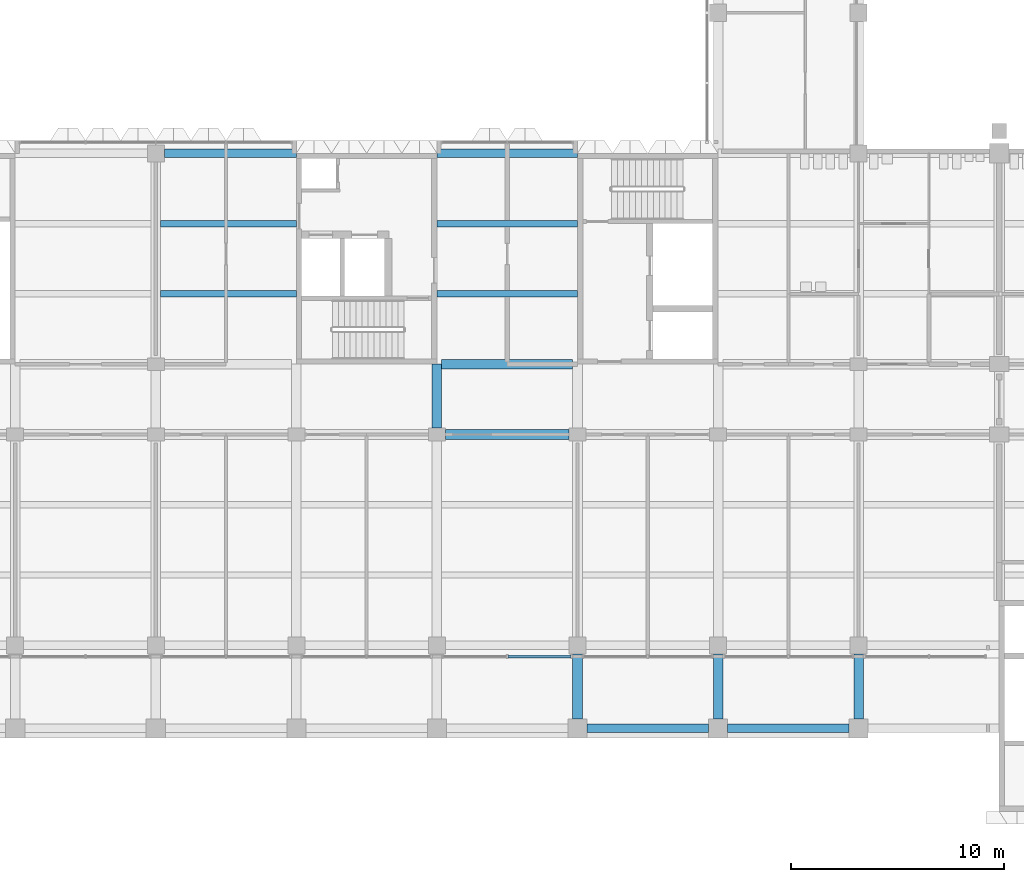
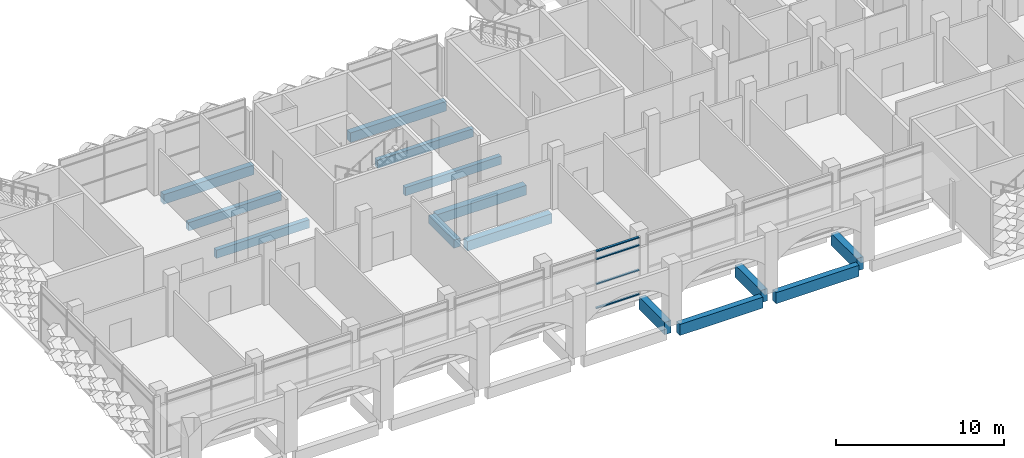
# One storey, part 5 of 87: 14 beams, 4 members, 1 element without a shape of its own.
"""IFC4 building model written with IfcOpenShell, lengths in metres."""

from ifc_helpers import new_model, si_unit, direction, frame, origin, origin_2d, place, context, subcontext, project, spatial, rectangle, extrude, material, material_profile, profile_set, type_object, element, aggregate, save


model = new_model("IFC4")

# Units and contexts
model_context = context("Model", 3, precision=1e-05, world=origin(), true_north=direction((0.0, 1.0)))
body_context = subcontext(model_context, "Body", "Model", "MODEL_VIEW")
ifc_project = project(units=[si_unit("LENGTHUNIT", "METRE"), si_unit("AREAUNIT", "SQUARE_METRE"), si_unit("VOLUMEUNIT", "CUBIC_METRE"), si_unit("PLANEANGLEUNIT", "RADIAN"), si_unit("MASSUNIT", "GRAM", prefix="KILO")], contexts=[model_context])

# Site, building, storey
site_placement = place(None, origin())
site = spatial("IfcSite", under=ifc_project, at=site_placement, CompositionType="ELEMENT")
building_placement = place(site_placement, origin())
building = spatial("IfcBuilding", under=site, at=building_placement, Name="Lantern Court Research Institute", CompositionType="ELEMENT")
storey_placement = place(building_placement, frame((0.0, 0.0, 5.39990234375)))
storey = spatial("IfcBuildingStorey", under=building, at=storey_placement, Name="L01", CompositionType="ELEMENT", Elevation=5.39990234375)

# Beams
ifc_material_1 = material(Name="Concrete C40/50", Category="concrete")
ifc_material_profile_1 = material_profile(ifc_material_1, rectangle(XDim=0.449951171875, YDim=0.699951171875, at=origin_2d()), Name="RC beam 450 x 700")
ifc_profile_set_1 = profile_set([ifc_material_profile_1], Name="Concrete C40/50")
beam_type_1 = type_object("IfcBeamType", Name="RC beam 450 x 700", PredefinedType="BEAM", material=ifc_profile_set_1)
beam_1_placement = place(storey_placement, frame((26.800048828125, 9.89990234375, -0.64990234375), z_axis=(1.0, 0.0, 0.0), x_axis=(0.0, 1.0, 0.0)))
element("IfcBeam", 1, at=beam_1_placement, inside=storey, type_object=beam_type_1, Name="Beam L01 grid B/5-6", PredefinedType="BEAM", context=body_context, shape_type="SweptSolid", body=[
    extrude(rectangle(XDim=0.449951171875, YDim=0.699951171875, at=origin_2d()), origin(), (0.0, 0.0, 1.0), 5.800048828125),
])
beam_2_placement = place(storey_placement, frame((26.625, 13.199951171875, -0.64990234375), z_axis=(1.0, 0.0, 0.0), x_axis=(0.0, 1.0, 0.0)))
element("IfcBeam", 2, at=beam_2_placement, inside=storey, type_object=beam_type_1, Name="Beam L01 grid C/5-6", PredefinedType="BEAM", context=body_context, shape_type="SweptSolid", body=[
    extrude(rectangle(XDim=0.449951171875, YDim=0.699951171875, at=origin_2d()), origin(), (0.0, 0.0, 1.0), 6.14990234375),
])
ifc_material_2 = material(Name="Concrete C40/50", Category="concrete")
ifc_material_profile_2 = material_profile(ifc_material_2, rectangle(XDim=0.39990234375, YDim=0.699951171875, at=origin_2d()), Name="RC beam 400 x 700")
ifc_profile_set_2 = profile_set([ifc_material_profile_2], Name="Concrete C40/50")
beam_type_2 = type_object("IfcBeamType", Name="RC edge beam 400 x 700", PredefinedType="BEAM", material=ifc_profile_set_2)
beam_3_placement = place(storey_placement, frame((13.60009765625, 23.10009765625, -0.64990234375), z_axis=(1.0, 0.0, 0.0), x_axis=(0.0, 1.0, 0.0)))
element("IfcBeam", 3, at=beam_3_placement, inside=storey, type_object=beam_type_2, Name="Edge beam L01 grid D/3-4", PredefinedType="BEAM", context=body_context, shape_type="SweptSolid", body=[
    extrude(rectangle(XDim=0.39990234375, YDim=0.699951171875, at=origin_2d()), origin(), (0.0, 0.0, 1.0), 6.199951171875),
])
beam_4_placement = place(storey_placement, frame((26.39990234375, 23.10009765625, -0.64990234375), z_axis=(1.0, 0.0, 0.0), x_axis=(0.0, 1.0, 0.0)))
element("IfcBeam", 4, at=beam_4_placement, inside=storey, type_object=beam_type_2, Name="Edge beam L01 grid D/5-6", PredefinedType="BEAM", context=body_context, shape_type="SweptSolid", body=[
    extrude(rectangle(XDim=0.39990234375, YDim=0.699951171875, at=origin_2d()), origin(), (0.0, 0.0, 1.0), 6.60009765625),
])
ifc_material_3 = material(Name="Concrete C40/50", Category="concrete")
ifc_material_profile_3 = material_profile(ifc_material_3, rectangle(XDim=0.449951171875, YDim=0.89990234375, at=origin_2d()), Name="RC beam 450 x 900")
ifc_profile_set_3 = profile_set([ifc_material_profile_3], Name="Concrete C40/50")
beam_type_3 = type_object("IfcBeamType", Name="RC link beam 450 x 900", PredefinedType="BEAM", material=ifc_profile_set_3)
for number, where, z_axis, x_axis, name in (
    (5, (33.0, -0.39990234375, -0.75), (0.0, -1.0, 0.0), (1.0, 0.0, 0.0), "Link beam L01 grid 6/A-Y"),
    (6, (39.60009765625, -0.39990234375, -0.75), (0.0, -1.0, 0.0), (1.0, 0.0, 0.0), "Link beam L01 grid 7/A-Y"),
    (7, (46.199951171875, -0.39990234375, -0.75), (0.0, -1.0, 0.0), (1.0, 0.0, 0.0), "Link beam L01 grid 8/A-Y"),
):
    element("IfcBeam", number, at=place(storey_placement, frame(where, z_axis=z_axis, x_axis=x_axis)), inside=storey, type_object=beam_type_3, Name=name, PredefinedType="BEAM", context=body_context, shape_type="SweptSolid", body=[
        extrude(rectangle(XDim=0.449951171875, YDim=0.89990234375, at=origin_2d()), origin(), (0.0, 0.0, 1.0), 3.050048828125),
    ])
ifc_material_4 = material(Name="Concrete C40/50", Category="concrete")
ifc_material_profile_4 = material_profile(ifc_material_4, rectangle(XDim=0.300048828125, YDim=0.60009765625, at=origin_2d()), Name="RC beam 300 x 600")
ifc_profile_set_4 = profile_set([ifc_material_profile_4], Name="Concrete C40/50")
beam_type_4 = type_object("IfcBeamType", Name="RC secondary beam 300 x 600", PredefinedType="BEAM", material=ifc_profile_set_4)
beam_5_placement = place(storey_placement, frame((13.425048828125, 16.5, -0.599853515625), z_axis=(1.0, 0.0, 0.0), x_axis=(0.0, 1.0, 0.0)))
element("IfcBeam", 8, at=beam_5_placement, inside=storey, type_object=beam_type_4, Name="Secondary beam L01 grids 3-4 / C-D, line 1", PredefinedType="BEAM", context=body_context, shape_type="SweptSolid", body=[
    extrude(rectangle(XDim=0.300048828125, YDim=0.60009765625, at=origin_2d()), origin(), (0.0, 0.0, 1.0), 6.375),
])
beam_6_placement = place(storey_placement, frame((26.39990234375, 16.5, -0.599853515625), z_axis=(1.0, 0.0, 0.0), x_axis=(0.0, 1.0, 0.0)))
element("IfcBeam", 9, at=beam_6_placement, inside=storey, type_object=beam_type_4, Name="Secondary beam L01 grids 5-6 / C-D, line 1", PredefinedType="BEAM", context=body_context, shape_type="SweptSolid", body=[
    extrude(rectangle(XDim=0.300048828125, YDim=0.60009765625, at=origin_2d()), origin(), (0.0, 0.0, 1.0), 6.60009765625),
])
beam_7_placement = place(storey_placement, frame((13.425048828125, 19.800048828125, -0.599853515625), z_axis=(1.0, 0.0, 0.0), x_axis=(0.0, 1.0, 0.0)))
element("IfcBeam", 10, at=beam_7_placement, inside=storey, type_object=beam_type_4, Name="Secondary beam L01 grids 3-4 / C-D, line 2", PredefinedType="BEAM", context=body_context, shape_type="SweptSolid", body=[
    extrude(rectangle(XDim=0.300048828125, YDim=0.60009765625, at=origin_2d()), origin(), (0.0, 0.0, 1.0), 6.375),
])
beam_8_placement = place(storey_placement, frame((26.39990234375, 19.800048828125, -0.599853515625), z_axis=(1.0, 0.0, 0.0), x_axis=(0.0, 1.0, 0.0)))
element("IfcBeam", 11, at=beam_8_placement, inside=storey, type_object=beam_type_4, Name="Secondary beam L01 grids 5-6 / C-D, line 2", PredefinedType="BEAM", context=body_context, shape_type="SweptSolid", body=[
    extrude(rectangle(XDim=0.300048828125, YDim=0.60009765625, at=origin_2d()), origin(), (0.0, 0.0, 1.0), 6.60009765625),
])
ifc_material_5 = material(Name="Concrete C40/50", Category="concrete")
ifc_material_profile_5 = material_profile(ifc_material_5, rectangle(XDim=0.449951171875, YDim=0.60009765625, at=origin_2d()), Name="RC beam 450 x 600")
ifc_profile_set_5 = profile_set([ifc_material_profile_5], Name="Concrete C40/50")
beam_type_5 = type_object("IfcBeamType", Name="RC spine beam 450 x 600", PredefinedType="BEAM", material=ifc_profile_set_5)
beam_9_placement = place(storey_placement, frame((26.39990234375, 10.199951171875, -0.599853515625), z_axis=(0.0, 1.0, 0.0), x_axis=(-1.0, 0.0, 0.0)))
element("IfcBeam", 12, at=beam_9_placement, inside=storey, type_object=beam_type_5, Name="Beam L01 grid 5/B-C", PredefinedType="BEAM", context=body_context, shape_type="SweptSolid", body=[
    extrude(rectangle(XDim=0.449951171875, YDim=0.60009765625, at=origin_2d()), origin(), (0.0, 0.0, 1.0), 3.0),
])
ifc_material_6 = material(Name="Concrete C40/50", Category="concrete")
ifc_material_profile_6 = material_profile(ifc_material_6, rectangle(XDim=0.39990234375, YDim=0.800048828125, at=origin_2d()), Name="RC beam 400 x 800")
ifc_profile_set_6 = profile_set([ifc_material_profile_6], Name="Concrete C40/50")
beam_type_6 = type_object("IfcBeamType", Name="RC tie beam 400 x 800", PredefinedType="BEAM", material=ifc_profile_set_6)
for number, where, z_axis, x_axis, name in (
    (13, (33.449951171875, -3.89990234375, -0.699951171875), (1.0, 0.0, 0.0), (0.0, 1.0, 0.0), "Tie beam L01 grid Y/6-7"),
    (14, (40.050048828125, -3.89990234375, -0.699951171875), (1.0, 0.0, 0.0), (0.0, 1.0, 0.0), "Tie beam L01 grid Y/7-8"),
):
    element("IfcBeam", number, at=place(storey_placement, frame(where, z_axis=z_axis, x_axis=x_axis)), inside=storey, type_object=beam_type_6, Name=name, PredefinedType="BEAM", context=body_context, shape_type="SweptSolid", body=[
        extrude(rectangle(XDim=0.39990234375, YDim=0.800048828125, at=origin_2d()), origin(), (0.0, 0.0, 1.0), 5.699951171875),
    ])

# Curtain wall, members
ifc_material_7 = material(Name="Aluminium alloy 6063-T6", Category="aluminium")
curtain_wall_type = type_object("IfcCurtainWallType", Name="Curtain wall 6150 x 4200 x 150 aluminium frame", PredefinedType="NOTDEFINED", material=ifc_material_7)
curtain_wall_placement = place(storey_placement, origin())
curtain_wall = element("IfcCurtainWall", 15, at=curtain_wall_placement, inside=storey, type_object=curtain_wall_type, Name="Curtain wall CW027", PredefinedType="NOTDEFINED")
ifc_material_8 = material(Name="Aluminium alloy 6063-T6", Category="aluminium")
ifc_material_profile_7 = material_profile(ifc_material_8, rectangle(XDim=0.14990234375, YDim=0.080078125, at=origin_2d()), Name="Transom 150 x 80")
ifc_profile_set_7 = profile_set([ifc_material_profile_7], Name="Aluminium alloy 6063-T6")
member_type = type_object("IfcMemberType", Name="Transom 150 x 80 aluminium", PredefinedType="USERDEFINED", material=ifc_profile_set_7)
member_1_placement = place(storey_placement, frame((32.695068359375, -0.52490234375, 0.0400390625), z_axis=(-1.0, 0.0, 0.0), x_axis=(0.0, -1.0, 0.0)))
member_1 = element("IfcMember", 16, at=member_1_placement, type_object=member_type, Name="CW027 transom 2.1", ObjectType="TRANSOM", PredefinedType="USERDEFINED", context=body_context, shape_type="SweptSolid", body=[
    extrude(rectangle(XDim=0.14990234375, YDim=0.080078125, at=origin_2d()), origin(), (0.0, 0.0, 1.0), 2.955078125),
])
member_2_placement = place(storey_placement, frame((32.695068359375, -0.52490234375, 1.800048828125), z_axis=(-1.0, 0.0, 0.0), x_axis=(0.0, -1.0, 0.0)))
member_2 = element("IfcMember", 17, at=member_2_placement, type_object=member_type, Name="CW027 transom 2.2", ObjectType="TRANSOM", PredefinedType="USERDEFINED", context=body_context, shape_type="SweptSolid", body=[
    extrude(rectangle(XDim=0.14990234375, YDim=0.080078125, at=origin_2d()), origin(), (0.0, 0.0, 1.0), 2.955078125),
])
member_3_placement = place(storey_placement, frame((32.695068359375, -0.52490234375, 3.60009765625), z_axis=(-1.0, 0.0, 0.0), x_axis=(0.0, -1.0, 0.0)))
member_3 = element("IfcMember", 18, at=member_3_placement, type_object=member_type, Name="CW027 transom 2.3", ObjectType="TRANSOM", PredefinedType="USERDEFINED", context=body_context, shape_type="SweptSolid", body=[
    extrude(rectangle(XDim=0.14990234375, YDim=0.080078125, at=origin_2d()), origin(), (0.0, 0.0, 1.0), 2.955078125),
])
member_4_placement = place(storey_placement, frame((32.695068359375, -0.52490234375, 4.16015625), z_axis=(-1.0, 0.0, 0.0), x_axis=(0.0, -1.0, 0.0)))
member_4 = element("IfcMember", 19, at=member_4_placement, type_object=member_type, Name="CW027 transom 2.4", ObjectType="TRANSOM", PredefinedType="USERDEFINED", context=body_context, shape_type="SweptSolid", body=[
    extrude(rectangle(XDim=0.14990234375, YDim=0.080078125, at=origin_2d()), origin(), (0.0, 0.0, 1.0), 2.955078125),
])
aggregate(curtain_wall, [member_1, member_2, member_3, member_4])

save(model, "model.ifc")
